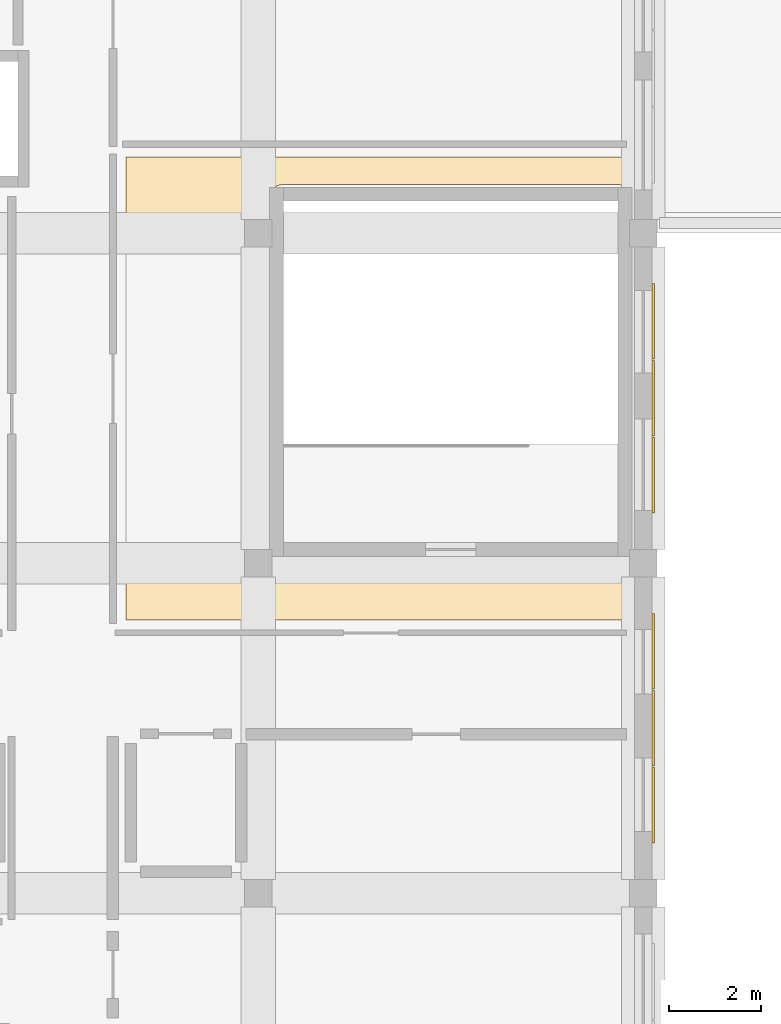
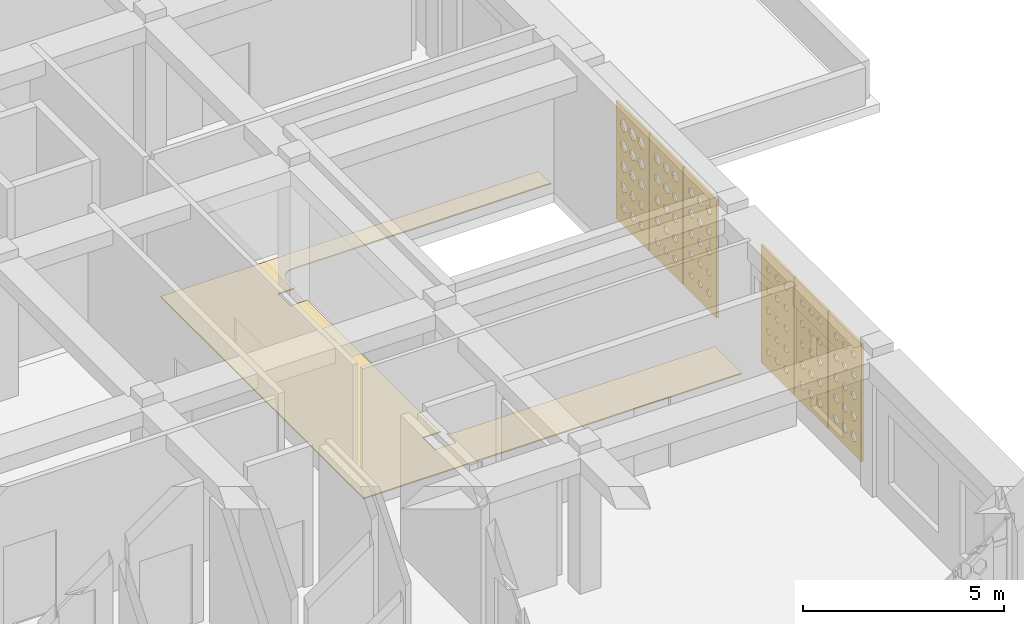
# One storey, part 23 of 28: 7 coverings.
"""IFC4 building model written with IfcOpenShell, lengths in metres."""

from ifc_helpers import new_model, si_unit, derived_unit, direction, frame, origin, place, context, subcontext, project, spatial, polyline, outline, extrude, material, layer, layer_set, type_object, element, save


model = new_model("IFC4")

# Units and contexts
model_context = context("Model", 3, precision=1e-05, world=origin(), true_north=direction((0.0, 1.0)))
body_context = subcontext(model_context, "Body", "Model", "MODEL_VIEW")
ifc_project = project(units=[si_unit("LENGTHUNIT", "METRE"), si_unit("AREAUNIT", "SQUARE_METRE"), si_unit("VOLUMEUNIT", "CUBIC_METRE"), si_unit("PLANEANGLEUNIT", "RADIAN"), si_unit("MASSUNIT", "GRAM", prefix="KILO"), derived_unit("THERMALTRANSMITTANCEUNIT", [(si_unit("POWERUNIT", "WATT"), 1), (si_unit("LENGTHUNIT", "METRE"), -2), (si_unit("THERMODYNAMICTEMPERATUREUNIT", "KELVIN"), -1)])], contexts=[model_context])

# Site, building, storey
site_placement = place(None, origin())
site = spatial("IfcSite", under=ifc_project, at=site_placement, CompositionType="ELEMENT")
building_placement = place(site_placement, origin())
building = spatial("IfcBuilding", under=site, at=building_placement, Name="Veybourne Emporium", CompositionType="ELEMENT")
storey_placement = place(building_placement, frame((0.0, 0.0, 32.10009765625)))
storey = spatial("IfcBuildingStorey", under=building, at=storey_placement, Name="L07", CompositionType="ELEMENT", Elevation=32.10009765625)

# Coverings
ifc_material_1 = material(Name="European Oak Parquet", Category="wood")
ifc_layer_1 = layer(ifc_material_1, 0.034912109375)
ifc_layer_set_1 = layer_set([ifc_layer_1], Name="European Oak Parquet")
covering_type_1 = type_object("IfcCoveringType", Name="Flooring_FLR-02", PredefinedType="FLOORING", material=ifc_layer_set_1)
covering_1_placement = place(storey_placement, origin())
element("IfcCovering", 1, at=covering_1_placement, inside=storey, type_object=covering_type_1, Name="L07 floor finish 06", PredefinedType="FLOORING", context=body_context, shape_type="SweptSolid", body=[
    extrude(outline(polyline([(39.110107421875, 27.56005859375), (39.110107421875, 37.659912109375), (49.9599609375, 37.659912109375), (49.9599609375, 37.04248046875), (49.945068359375, 37.047119140625), (49.929931640625, 37.051025390625), (49.910400390625, 37.0546875), (49.89501953125, 37.05712890625), (49.87548828125, 37.05908203125), (49.85986328125, 37.059814453125), (49.85009765625, 37.06005859375), (42.550048828125, 37.06005859375), (42.540283203125, 37.059814453125), (42.5244140625, 37.05908203125), (42.505126953125, 37.05712890625), (42.489501953125, 37.0546875), (42.47021484375, 37.051025390625), (42.454833984375, 37.047119140625), (42.43603515625, 37.04150390625), (42.42138671875, 37.0361328125), (42.4033203125, 37.028564453125), (42.38916015625, 37.02197265625), (42.371826171875, 37.0126953125), (42.3583984375, 37.004638671875), (42.341796875, 36.99365234375), (42.329345703125, 36.984375), (42.314208984375, 36.971923828125), (42.302734375, 36.96142578125), (42.28857421875, 36.947265625), (42.278076171875, 36.935791015625), (42.265625, 36.920654296875), (42.25634765625, 36.908203125), (42.245361328125, 36.8916015625), (42.2373046875, 36.878173828125), (42.22802734375, 36.86083984375), (42.221435546875, 36.8466796875), (42.2138671875, 36.82861328125), (42.20849609375, 36.81396484375), (42.202880859375, 36.795166015625), (42.198974609375, 36.77978515625), (42.1953125, 36.760498046875), (42.19287109375, 36.744873046875), (42.19091796875, 36.7255859375), (42.190185546875, 36.709716796875), (42.18994140625, 36.699951171875), (42.18994140625, 36.304931640625), (41.695068359375, 36.304931640625), (41.695068359375, 35.695068359375), (42.18994140625, 35.695068359375), (42.18994140625, 29.25), (42.190185546875, 29.240234375), (42.19091796875, 29.224609375), (42.19287109375, 29.205078125), (42.1953125, 29.189453125), (42.198974609375, 29.170166015625), (42.202880859375, 29.155029296875), (42.20849609375, 29.13623046875), (42.2138671875, 29.121337890625), (42.220703125, 29.10498046875), (41.695068359375, 29.10498046875), (41.695068359375, 28.4951171875), (42.304931640625, 28.4951171875), (42.304931640625, 28.986328125), (42.314208984375, 28.97802734375), (42.329345703125, 28.9658203125), (42.341796875, 28.956298828125), (42.3583984375, 28.9453125), (42.371826171875, 28.937255859375), (42.38916015625, 28.927978515625), (42.4033203125, 28.92138671875), (42.42138671875, 28.913818359375), (42.43603515625, 28.90869140625), (42.454833984375, 28.90283203125), (42.47021484375, 28.899169921875), (42.489501953125, 28.895263671875), (42.505126953125, 28.892822265625), (42.5244140625, 28.89111328125), (42.540283203125, 28.89013671875), (42.550048828125, 28.889892578125), (49.85009765625, 28.889892578125), (49.85986328125, 28.89013671875), (49.87548828125, 28.89111328125), (49.89501953125, 28.892822265625), (49.910400390625, 28.895263671875), (49.929931640625, 28.899169921875), (49.945068359375, 28.90283203125), (49.9599609375, 28.907470703125), (49.9599609375, 27.56005859375), (39.110107421875, 27.56005859375)])), origin(), (0.0, 0.0, 1.0), 0.034912109375),
])
ifc_material_2 = material(Name="Warm-White Perforated Aluminium Screen Alloy", Category="aluminium")
ifc_layer_2 = layer(ifc_material_2, 0.06005859375)
ifc_layer_set_2 = layer_set([ifc_layer_2], Name="Warm-White Perforated Aluminium Screen Alloy")
covering_type_2 = type_object("IfcCoveringType", Name="WaveScreen_SCR-01", PredefinedType="CLADDING", material=ifc_layer_set_2)
covering_2_placement = place(storey_placement, frame((50.64794921875, 23.52001953125, 1.844970703125), z_axis=(-1.0, 0.0, 0.0), x_axis=(0.0, -1.0, 0.0)))
element("IfcCovering", 2, at=covering_2_placement, inside=storey, type_object=covering_type_2, Name="L07 wave-perforated aluminium screen SCR-01 (18.3)", PredefinedType="CLADDING", context=body_context, shape_type="SweptSolid", body=[
    extrude(outline(polyline([(-0.81982421875, -1.78515625), (0.81982421875, -1.78515625), (0.81982421875, 1.78515625), (-0.81982421875, 1.78515625), (-0.81982421875, -1.78515625)]), holes=[polyline([(-0.433349609375, -1.10498046875), (-0.302978515625, -1.19921875), (-0.302978515625, -1.304931640625), (-0.433349609375, -1.39892578125), (-0.5634765625, -1.304931640625), (-0.5634765625, -1.19921875), (-0.433349609375, -1.10498046875)]), polyline([(-0.433349609375, -0.490478515625), (-0.3125, -0.5771484375), (-0.3125, -0.6748046875), (-0.433349609375, -0.76171875), (-0.55419921875, -0.6748046875), (-0.55419921875, -0.5771484375), (-0.433349609375, -0.490478515625)]), polyline([(-0.433349609375, 0.126220703125), (-0.3203125, 0.04541015625), (-0.3203125, -0.04541015625), (-0.433349609375, -0.126220703125), (-0.54638671875, -0.04541015625), (-0.54638671875, 0.04541015625), (-0.433349609375, 0.126220703125)]), polyline([(-0.433349609375, 0.744384765625), (-0.326416015625, 0.668701171875), (-0.326416015625, 0.583251953125), (-0.433349609375, 0.507568359375), (-0.540283203125, 0.583251953125), (-0.540283203125, 0.668701171875), (-0.433349609375, 0.744384765625)]), polyline([(-0.433349609375, 1.365234375), (-0.33056640625, 1.292724609375), (-0.33056640625, 1.211181640625), (-0.433349609375, 1.138671875), (-0.535888671875, 1.211181640625), (-0.535888671875, 1.292724609375), (-0.433349609375, 1.365234375)]), polyline([(0.0, -1.099609375), (0.134765625, -1.197021484375), (0.134765625, -1.306884765625), (0.0, -1.404296875), (-0.134765625, -1.306884765625), (-0.134765625, -1.197021484375), (0.0, -1.099609375)]), polyline([(0.0, -0.485595703125), (0.125, -0.575439453125), (0.125, -0.676513671875), (0.0, -0.766357421875), (-0.125, -0.676513671875), (-0.125, -0.575439453125), (0.0, -0.485595703125)]), polyline([(0.0, 0.130126953125), (0.116455078125, 0.046875), (0.116455078125, -0.046875), (0.0, -0.130126953125), (-0.116455078125, -0.046875), (-0.116455078125, 0.046875), (0.0, 0.130126953125)]), polyline([(0.0, 0.74755859375), (0.109619140625, 0.669921875), (0.109619140625, 0.582275390625), (0.0, 0.50439453125), (-0.109619140625, 0.582275390625), (-0.109619140625, 0.669921875), (0.0, 0.74755859375)]), polyline([(0.0, 1.3671875), (0.1044921875, 1.29345703125), (0.1044921875, 1.21044921875), (0.0, 1.13671875), (-0.1044921875, 1.21044921875), (-0.1044921875, 1.29345703125), (0.0, 1.3671875)]), polyline([(0.433349609375, -1.093994140625), (0.57275390625, -1.195068359375), (0.57275390625, -1.308837890625), (0.433349609375, -1.41015625), (0.2939453125, -1.308837890625), (0.2939453125, -1.195068359375), (0.433349609375, -1.093994140625)]), polyline([(0.433349609375, -0.48046875), (0.5625, -0.573486328125), (0.5625, -0.678466796875), (0.433349609375, -0.771484375), (0.30419921875, -0.678466796875), (0.30419921875, -0.573486328125), (0.433349609375, -0.48046875)]), polyline([(0.433349609375, 0.134521484375), (0.55322265625, 0.04833984375), (0.55322265625, -0.04833984375), (0.433349609375, -0.134521484375), (0.313232421875, -0.04833984375), (0.313232421875, 0.04833984375), (0.433349609375, 0.134521484375)]), polyline([(0.433349609375, 0.751220703125), (0.545654296875, 0.6708984375), (0.545654296875, 0.5810546875), (0.433349609375, 0.5009765625), (0.321044921875, 0.5810546875), (0.321044921875, 0.6708984375), (0.433349609375, 0.751220703125)]), polyline([(0.433349609375, 1.369873046875), (0.539794921875, 1.29443359375), (0.539794921875, 1.209716796875), (0.433349609375, 1.134033203125), (0.326904296875, 1.209716796875), (0.326904296875, 1.29443359375), (0.433349609375, 1.369873046875)])]), origin(), (0.0, 0.0, 1.0), 0.06005859375),
])
covering_3_placement = place(storey_placement, frame((50.64794921875, 32.39990234375, 1.844970703125), z_axis=(-1.0, 0.0, 0.0), x_axis=(0.0, -1.0, 0.0)))
element("IfcCovering", 3, at=covering_3_placement, inside=storey, type_object=covering_type_2, Name="L07 wave-perforated aluminium screen SCR-01 (19.2)", PredefinedType="CLADDING", context=body_context, shape_type="SweptSolid", body=[
    extrude(outline(polyline([(-0.81982421875, -1.78515625), (0.81982421875, -1.78515625), (0.81982421875, 1.78515625), (-0.81982421875, 1.78515625), (-0.81982421875, -1.78515625)]), holes=[polyline([(-0.433349609375, -1.126953125), (-0.321044921875, -1.20703125), (-0.321044921875, -1.297119140625), (-0.433349609375, -1.376953125), (-0.545654296875, -1.297119140625), (-0.545654296875, -1.20703125), (-0.433349609375, -1.126953125)]), polyline([(-0.433349609375, -0.49169921875), (-0.3134765625, -0.57763671875), (-0.3134765625, -0.67431640625), (-0.433349609375, -0.760498046875), (-0.55322265625, -0.67431640625), (-0.55322265625, -0.57763671875), (-0.433349609375, -0.49169921875)]), polyline([(-0.433349609375, 0.1455078125), (-0.30419921875, 0.052490234375), (-0.30419921875, -0.052490234375), (-0.433349609375, -0.1455078125), (-0.562255859375, -0.052490234375), (-0.562255859375, 0.052490234375), (-0.433349609375, 0.1455078125)]), polyline([(-0.433349609375, 0.783935546875), (-0.294189453125, 0.682861328125), (-0.294189453125, 0.569091796875), (-0.433349609375, 0.468017578125), (-0.572509765625, 0.569091796875), (-0.572509765625, 0.682861328125), (-0.433349609375, 0.783935546875)]), polyline([(-0.433349609375, 1.423583984375), (-0.282958984375, 1.313720703125), (-0.282958984375, 1.190185546875), (-0.433349609375, 1.080322265625), (-0.583740234375, 1.190185546875), (-0.583740234375, 1.313720703125), (-0.433349609375, 1.423583984375)]), polyline([(0.0, -1.130615234375), (0.109375, -1.208251953125), (0.109375, -1.2958984375), (0.0, -1.37353515625), (-0.109375, -1.2958984375), (-0.109375, -1.208251953125), (0.0, -1.130615234375)]), polyline([(0.0, -0.49609375), (0.1162109375, -0.5791015625), (0.1162109375, -0.6728515625), (0.0, -0.756103515625), (-0.1162109375, -0.6728515625), (-0.1162109375, -0.5791015625), (0.0, -0.49609375)]), polyline([(0.0, 0.140380859375), (0.124755859375, 0.050537109375), (0.124755859375, -0.050537109375), (0.0, -0.140380859375), (-0.124755859375, -0.050537109375), (-0.124755859375, 0.050537109375), (0.0, 0.140380859375)]), polyline([(0.0, 0.7783203125), (0.134521484375, 0.680908203125), (0.134521484375, 0.5712890625), (0.0, 0.4736328125), (-0.134521484375, 0.5712890625), (-0.134521484375, 0.680908203125), (0.0, 0.7783203125)]), polyline([(0.0, 1.41748046875), (0.1455078125, 1.3115234375), (0.1455078125, 1.1923828125), (0.0, 1.086669921875), (-0.1455078125, 1.1923828125), (-0.1455078125, 1.3115234375), (0.0, 1.41748046875)]), polyline([(0.433349609375, -1.133544921875), (0.540283203125, -1.209228515625), (0.540283203125, -1.294677734375), (0.433349609375, -1.37060546875), (0.326416015625, -1.294677734375), (0.326416015625, -1.209228515625), (0.433349609375, -1.133544921875)]), polyline([(0.433349609375, -0.5), (0.54638671875, -0.580810546875), (0.54638671875, -0.67138671875), (0.433349609375, -0.751953125), (0.3203125, -0.67138671875), (0.3203125, -0.580810546875), (0.433349609375, -0.5)]), polyline([(0.433349609375, 0.135498046875), (0.55419921875, 0.048828125), (0.55419921875, -0.048828125), (0.433349609375, -0.135498046875), (0.3125, -0.048828125), (0.3125, 0.048828125), (0.433349609375, 0.135498046875)]), polyline([(0.433349609375, 0.772705078125), (0.5634765625, 0.6787109375), (0.5634765625, 0.5732421875), (0.433349609375, 0.479248046875), (0.30322265625, 0.5732421875), (0.30322265625, 0.6787109375), (0.433349609375, 0.772705078125)]), polyline([(0.433349609375, 1.411376953125), (0.57373046875, 1.309326171875), (0.57373046875, 1.194580078125), (0.433349609375, 1.092529296875), (0.29296875, 1.194580078125), (0.29296875, 1.309326171875), (0.433349609375, 1.411376953125)])]), origin(), (0.0, 0.0, 1.0), 0.06005859375),
])
ifc_layer_3 = layer(ifc_material_2, 0.06005859375)
ifc_layer_set_3 = layer_set([ifc_layer_3], Name="Warm-White Perforated Aluminium Screen Alloy")
covering_type_3 = type_object("IfcCoveringType", Name="WaveScreen_SCR-02", PredefinedType="CLADDING", material=ifc_layer_set_3)
covering_4_placement = place(storey_placement, frame((50.64794921875, 30.719970703125, 1.844970703125), z_axis=(-1.0, 0.0, 0.0), x_axis=(0.0, -1.0, 0.0)))
element("IfcCovering", 4, at=covering_4_placement, inside=storey, type_object=covering_type_3, Name="L07 wave-perforated aluminium screen SCR-02 (19.3)", PredefinedType="CLADDING", context=body_context, shape_type="SweptSolid", body=[
    extrude(outline(polyline([(-0.81982421875, -1.78515625), (0.81982421875, -1.78515625), (0.81982421875, 1.78515625), (-0.81982421875, 1.78515625), (-0.81982421875, -1.78515625)]), holes=[polyline([(-0.433349609375, -1.137939453125), (-0.330078125, -1.2109375), (-0.330078125, -1.29296875), (-0.433349609375, -1.365966796875), (-0.53662109375, -1.29296875), (-0.53662109375, -1.2109375), (-0.433349609375, -1.137939453125)]), polyline([(-0.433349609375, -0.50634765625), (-0.325439453125, -0.5830078125), (-0.325439453125, -0.6689453125), (-0.433349609375, -0.74560546875), (-0.541259765625, -0.6689453125), (-0.541259765625, -0.5830078125), (-0.433349609375, -0.50634765625)]), polyline([(-0.433349609375, 0.12744140625), (-0.319091796875, 0.0458984375), (-0.319091796875, -0.0458984375), (-0.433349609375, -0.12744140625), (-0.547607421875, -0.0458984375), (-0.547607421875, 0.0458984375), (-0.433349609375, 0.12744140625)]), polyline([(-0.433349609375, 0.76318359375), (-0.31103515625, 0.67529296875), (-0.31103515625, 0.57666015625), (-0.433349609375, 0.48876953125), (-0.5556640625, 0.57666015625), (-0.5556640625, 0.67529296875), (-0.433349609375, 0.76318359375)]), polyline([(-0.433349609375, 1.40087890625), (-0.301513671875, 1.3056640625), (-0.301513671875, 1.198486328125), (-0.433349609375, 1.103271484375), (-0.565185546875, 1.198486328125), (-0.565185546875, 1.3056640625), (-0.433349609375, 1.40087890625)]), polyline([(0.0, -1.139892578125), (0.101806640625, -1.211669921875), (0.101806640625, -1.29248046875), (0.0, -1.3642578125), (-0.101806640625, -1.29248046875), (-0.101806640625, -1.211669921875), (0.0, -1.139892578125)]), polyline([(0.0, -0.50927734375), (0.10546875, -0.583984375), (0.10546875, -0.66796875), (0.0, -0.742919921875), (-0.10546875, -0.66796875), (-0.10546875, -0.583984375), (0.0, -0.50927734375)]), polyline([(0.0, 0.123779296875), (0.111083984375, 0.04443359375), (0.111083984375, -0.04443359375), (0.0, -0.123779296875), (-0.111083984375, -0.04443359375), (-0.111083984375, 0.04443359375), (0.0, 0.123779296875)]), polyline([(0.0, 0.758544921875), (0.118408203125, 0.673583984375), (0.118408203125, 0.578369140625), (0.0, 0.493408203125), (-0.118408203125, 0.578369140625), (-0.118408203125, 0.673583984375), (0.0, 0.758544921875)]), polyline([(0.0, 1.3955078125), (0.12744140625, 1.3037109375), (0.12744140625, 1.200439453125), (0.0, 1.108642578125), (-0.12744140625, 1.200439453125), (-0.12744140625, 1.3037109375), (0.0, 1.3955078125)]), polyline([(0.433349609375, -1.14111328125), (0.5341796875, -1.2119140625), (0.5341796875, -1.2919921875), (0.433349609375, -1.363037109375), (0.33251953125, -1.2919921875), (0.33251953125, -1.2119140625), (0.433349609375, -1.14111328125)]), polyline([(0.433349609375, -0.511474609375), (0.537109375, -0.584716796875), (0.537109375, -0.667236328125), (0.433349609375, -0.740478515625), (0.32958984375, -0.667236328125), (0.32958984375, -0.584716796875), (0.433349609375, -0.511474609375)]), polyline([(0.433349609375, 0.120361328125), (0.541748046875, 0.043212890625), (0.541748046875, -0.043212890625), (0.433349609375, -0.120361328125), (0.324951171875, -0.043212890625), (0.324951171875, 0.043212890625), (0.433349609375, 0.120361328125)]), polyline([(0.433349609375, 0.75439453125), (0.54833984375, 0.672119140625), (0.54833984375, 0.579833984375), (0.433349609375, 0.49755859375), (0.318359375, 0.579833984375), (0.318359375, 0.672119140625), (0.433349609375, 0.75439453125)]), polyline([(0.433349609375, 1.390380859375), (0.556640625, 1.3017578125), (0.556640625, 1.2021484375), (0.433349609375, 1.113525390625), (0.31005859375, 1.2021484375), (0.31005859375, 1.3017578125), (0.433349609375, 1.390380859375)])]), origin(), (0.0, 0.0, 1.0), 0.06005859375),
])
ifc_layer_4 = layer(ifc_material_2, 0.06005859375)
ifc_layer_set_4 = layer_set([ifc_layer_4], Name="Warm-White Perforated Aluminium Screen Alloy")
covering_type_4 = type_object("IfcCoveringType", Name="WaveScreen_SCR-03", PredefinedType="CLADDING", material=ifc_layer_set_4)
covering_5_placement = place(storey_placement, frame((50.64794921875, 26.8798828125, 1.844970703125), z_axis=(-1.0, 0.0, 0.0), x_axis=(0.0, -1.0, 0.0)))
element("IfcCovering", 5, at=covering_5_placement, inside=storey, type_object=covering_type_4, Name="L07 wave-perforated aluminium screen SCR-03 (18.1)", PredefinedType="CLADDING", context=body_context, shape_type="SweptSolid", body=[
    extrude(outline(polyline([(-0.81982421875, -1.78515625), (0.81982421875, -1.78515625), (0.81982421875, 1.78515625), (-0.81982421875, 1.78515625), (-0.81982421875, -1.78515625)]), holes=[polyline([(-0.433349609375, -1.135986328125), (-0.32861328125, -1.210205078125), (-0.32861328125, -1.293701171875), (-0.433349609375, -1.367919921875), (-0.5380859375, -1.293701171875), (-0.5380859375, -1.210205078125), (-0.433349609375, -1.135986328125)]), polyline([(-0.433349609375, -0.514404296875), (-0.331787109375, -0.585693359375), (-0.331787109375, -0.666259765625), (-0.433349609375, -0.73779296875), (-0.53466796875, -0.666259765625), (-0.53466796875, -0.585693359375), (-0.433349609375, -0.514404296875)]), polyline([(-0.433349609375, 0.110107421875), (-0.333251953125, 0.03955078125), (-0.333251953125, -0.03955078125), (-0.433349609375, -0.110107421875), (-0.533447265625, -0.03955078125), (-0.533447265625, 0.03955078125), (-0.433349609375, 0.110107421875)]), polyline([(-0.433349609375, 0.73681640625), (-0.33251953125, 0.666015625), (-0.33251953125, 0.586181640625), (-0.433349609375, 0.51513671875), (-0.533935546875, 0.586181640625), (-0.533935546875, 0.666015625), (-0.433349609375, 0.73681640625)]), polyline([(-0.433349609375, 1.3662109375), (-0.329833984375, 1.293212890625), (-0.329833984375, 1.2109375), (-0.433349609375, 1.1376953125), (-0.536865234375, 1.2109375), (-0.536865234375, 1.293212890625), (-0.433349609375, 1.3662109375)]), polyline([(0.0, -1.133544921875), (0.10693359375, -1.209228515625), (0.10693359375, -1.294677734375), (0.0, -1.37060546875), (-0.10693359375, -1.294677734375), (-0.10693359375, -1.209228515625), (0.0, -1.133544921875)]), polyline([(0.0, -0.5126953125), (0.102783203125, -0.585205078125), (0.102783203125, -0.666748046875), (0.0, -0.7392578125), (-0.102783203125, -0.666748046875), (-0.102783203125, -0.585205078125), (0.0, -0.5126953125)]), polyline([(0.0, 0.110595703125), (0.100341796875, 0.039794921875), (0.100341796875, -0.039794921875), (0.0, -0.110595703125), (-0.100341796875, -0.039794921875), (-0.100341796875, 0.039794921875), (0.0, 0.110595703125)]), polyline([(0.0, 0.736083984375), (0.10009765625, 0.665771484375), (0.10009765625, 0.586181640625), (0.0, 0.515869140625), (-0.10009765625, 0.586181640625), (-0.10009765625, 0.665771484375), (0.0, 0.736083984375)]), polyline([(0.0, 1.364501953125), (0.10205078125, 1.29248046875), (0.10205078125, 1.21142578125), (0.0, 1.1396484375), (-0.10205078125, 1.21142578125), (-0.10205078125, 1.29248046875), (0.0, 1.364501953125)]), polyline([(0.433349609375, -1.13037109375), (0.542724609375, -1.208251953125), (0.542724609375, -1.2958984375), (0.433349609375, -1.37353515625), (0.323974609375, -1.2958984375), (0.323974609375, -1.208251953125), (0.433349609375, -1.13037109375)]), polyline([(0.433349609375, -0.5107421875), (0.53759765625, -0.58447265625), (0.53759765625, -0.66748046875), (0.433349609375, -0.7412109375), (0.3291015625, -0.66748046875), (0.3291015625, -0.58447265625), (0.433349609375, -0.5107421875)]), polyline([(0.433349609375, 0.111328125), (0.534423828125, 0.0400390625), (0.534423828125, -0.0400390625), (0.433349609375, -0.111328125), (0.332275390625, -0.0400390625), (0.332275390625, 0.0400390625), (0.433349609375, 0.111328125)]), polyline([(0.433349609375, 0.736083984375), (0.533203125, 0.66552734375), (0.533203125, 0.58642578125), (0.433349609375, 0.51611328125), (0.333251953125, 0.58642578125), (0.333251953125, 0.66552734375), (0.433349609375, 0.736083984375)]), polyline([(0.433349609375, 1.363037109375), (0.5341796875, 1.2919921875), (0.5341796875, 1.2119140625), (0.433349609375, 1.140869140625), (0.33251953125, 1.2119140625), (0.33251953125, 1.2919921875), (0.433349609375, 1.363037109375)])]), origin(), (0.0, 0.0, 1.0), 0.06005859375),
])
ifc_layer_5 = layer(ifc_material_2, 0.06005859375)
ifc_layer_set_5 = layer_set([ifc_layer_5], Name="Warm-White Perforated Aluminium Screen Alloy")
covering_type_5 = type_object("IfcCoveringType", Name="WaveScreen_SCR-04", PredefinedType="CLADDING", material=ifc_layer_set_5)
covering_6_placement = place(storey_placement, frame((50.64794921875, 25.199951171875, 1.844970703125), z_axis=(-1.0, 0.0, 0.0), x_axis=(0.0, -1.0, 0.0)))
element("IfcCovering", 6, at=covering_6_placement, inside=storey, type_object=covering_type_5, Name="L07 wave-perforated aluminium screen SCR-04 (18.2)", PredefinedType="CLADDING", context=body_context, shape_type="SweptSolid", body=[
    extrude(outline(polyline([(-0.81982421875, -1.78515625), (0.81982421875, -1.78515625), (0.81982421875, 1.78515625), (-0.81982421875, 1.78515625), (-0.81982421875, -1.78515625)]), holes=[polyline([(-0.433349609375, -1.12353515625), (-0.318115234375, -1.205810546875), (-0.318115234375, -1.29833984375), (-0.433349609375, -1.380615234375), (-0.548583984375, -1.29833984375), (-0.548583984375, -1.205810546875), (-0.433349609375, -1.12353515625)]), polyline([(-0.433349609375, -0.505615234375), (-0.32470703125, -0.582763671875), (-0.32470703125, -0.669189453125), (-0.433349609375, -0.746337890625), (-0.541748046875, -0.669189453125), (-0.541748046875, -0.582763671875), (-0.433349609375, -0.505615234375)]), polyline([(-0.433349609375, 0.114501953125), (-0.32958984375, 0.041259765625), (-0.32958984375, -0.041259765625), (-0.433349609375, -0.114501953125), (-0.537109375, -0.041259765625), (-0.537109375, 0.041259765625), (-0.433349609375, 0.114501953125)]), polyline([(-0.433349609375, 0.737060546875), (-0.33251953125, 0.666015625), (-0.33251953125, 0.5859375), (-0.433349609375, 0.514892578125), (-0.5341796875, 0.5859375), (-0.5341796875, 0.666015625), (-0.433349609375, 0.737060546875)]), polyline([(-0.433349609375, 1.362060546875), (-0.333251953125, 1.29150390625), (-0.333251953125, 1.21240234375), (-0.433349609375, 1.14208984375), (-0.533203125, 1.21240234375), (-0.533203125, 1.29150390625), (-0.433349609375, 1.362060546875)]), polyline([(0.0, -1.119384765625), (0.11865234375, -1.2041015625), (0.11865234375, -1.2998046875), (0.0, -1.384765625), (-0.11865234375, -1.2998046875), (-0.11865234375, -1.2041015625), (0.0, -1.119384765625)]), polyline([(0.0, -0.502197265625), (0.111083984375, -0.58154296875), (0.111083984375, -0.67041015625), (0.0, -0.749755859375), (-0.111083984375, -0.67041015625), (-0.111083984375, -0.58154296875), (0.0, -0.502197265625)]), polyline([(0.0, 0.11669921875), (0.105712890625, 0.0419921875), (0.105712890625, -0.0419921875), (0.0, -0.11669921875), (-0.105712890625, -0.0419921875), (-0.105712890625, 0.0419921875), (0.0, 0.11669921875)]), polyline([(0.0, 0.73828125), (0.101806640625, 0.66650390625), (0.101806640625, 0.585693359375), (0.0, 0.513671875), (-0.101806640625, 0.585693359375), (-0.101806640625, 0.66650390625), (0.0, 0.73828125)]), polyline([(0.0, 1.362060546875), (0.10009765625, 1.291748046875), (0.10009765625, 1.21240234375), (0.0, 1.141845703125), (-0.10009765625, 1.21240234375), (-0.10009765625, 1.291748046875), (0.0, 1.362060546875)]), polyline([(0.433349609375, -1.114501953125), (0.5556640625, -1.20263671875), (0.5556640625, -1.301513671875), (0.433349609375, -1.389404296875), (0.31103515625, -1.301513671875), (0.31103515625, -1.20263671875), (0.433349609375, -1.114501953125)]), polyline([(0.433349609375, -0.49853515625), (0.547607421875, -0.580078125), (0.547607421875, -0.671875), (0.433349609375, -0.75341796875), (0.319091796875, -0.671875), (0.319091796875, -0.580078125), (0.433349609375, -0.49853515625)]), polyline([(0.433349609375, 0.11962890625), (0.541259765625, 0.043212890625), (0.541259765625, -0.043212890625), (0.433349609375, -0.11962890625), (0.325439453125, -0.043212890625), (0.325439453125, 0.043212890625), (0.433349609375, 0.11962890625)]), polyline([(0.433349609375, 0.739990234375), (0.53662109375, 0.6669921875), (0.53662109375, 0.5849609375), (0.433349609375, 0.511962890625), (0.330078125, 0.5849609375), (0.330078125, 0.6669921875), (0.433349609375, 0.739990234375)]), polyline([(0.433349609375, 1.36279296875), (0.533935546875, 1.2919921875), (0.533935546875, 1.212158203125), (0.433349609375, 1.14111328125), (0.332763671875, 1.212158203125), (0.332763671875, 1.2919921875), (0.433349609375, 1.36279296875)])]), origin(), (0.0, 0.0, 1.0), 0.06005859375),
])
covering_7_placement = place(storey_placement, frame((50.64794921875, 34.080078125, 1.844970703125), z_axis=(-1.0, 0.0, 0.0), x_axis=(0.0, -1.0, 0.0)))
element("IfcCovering", 7, at=covering_7_placement, inside=storey, type_object=covering_type_5, Name="L07 wave-perforated aluminium screen SCR-04 (19.1)", PredefinedType="CLADDING", context=body_context, shape_type="SweptSolid", body=[
    extrude(outline(polyline([(-0.81982421875, -1.78515625), (0.81982421875, -1.78515625), (0.81982421875, 1.78515625), (-0.81982421875, 1.78515625), (-0.81982421875, -1.78515625)]), holes=[polyline([(-0.433349609375, -1.10986328125), (-0.306884765625, -1.20068359375), (-0.306884765625, -1.30322265625), (-0.433349609375, -1.394287109375), (-0.559814453125, -1.30322265625), (-0.559814453125, -1.20068359375), (-0.433349609375, -1.10986328125)]), polyline([(-0.433349609375, -0.4716796875), (-0.297119140625, -0.5703125), (-0.297119140625, -0.681640625), (-0.433349609375, -0.780517578125), (-0.569580078125, -0.681640625), (-0.569580078125, -0.5703125), (-0.433349609375, -0.4716796875)]), polyline([(-0.433349609375, 0.167724609375), (-0.2861328125, 0.060302734375), (-0.2861328125, -0.060302734375), (-0.433349609375, -0.167724609375), (-0.58056640625, -0.060302734375), (-0.58056640625, 0.060302734375), (-0.433349609375, 0.167724609375)]), polyline([(-0.433349609375, 0.807861328125), (-0.2744140625, 0.69140625), (-0.2744140625, 0.560546875), (-0.433349609375, 0.444091796875), (-0.592041015625, 0.560546875), (-0.592041015625, 0.69140625), (-0.433349609375, 0.807861328125)]), polyline([(-0.433349609375, 1.4482421875), (-0.2626953125, 1.32275390625), (-0.2626953125, 1.181396484375), (-0.433349609375, 1.0556640625), (-0.60400390625, 1.181396484375), (-0.60400390625, 1.32275390625), (-0.433349609375, 1.4482421875)]), polyline([(0.0, -1.11474609375), (0.122314453125, -1.20263671875), (0.122314453125, -1.301513671875), (0.0, -1.389404296875), (-0.122314453125, -1.301513671875), (-0.122314453125, -1.20263671875), (0.0, -1.11474609375)]), polyline([(0.0, -0.477294921875), (0.1318359375, -0.572509765625), (0.1318359375, -0.6796875), (0.0, -0.77490234375), (-0.1318359375, -0.6796875), (-0.1318359375, -0.572509765625), (0.0, -0.477294921875)]), polyline([(0.0, 0.16162109375), (0.142333984375, 0.05810546875), (0.142333984375, -0.05810546875), (0.0, -0.16162109375), (-0.142333984375, -0.05810546875), (-0.142333984375, 0.05810546875), (0.0, 0.16162109375)]), polyline([(0.0, 0.801513671875), (0.153564453125, 0.689208984375), (0.153564453125, 0.562744140625), (0.0, 0.450439453125), (-0.153564453125, 0.562744140625), (-0.153564453125, 0.689208984375), (0.0, 0.801513671875)]), polyline([(0.0, 1.44189453125), (0.165283203125, 1.3203125), (0.165283203125, 1.18359375), (0.0, 1.06201171875), (-0.165283203125, 1.18359375), (-0.165283203125, 1.3203125), (0.0, 1.44189453125)]), polyline([(0.433349609375, -1.119384765625), (0.552001953125, -1.2041015625), (0.552001953125, -1.2998046875), (0.433349609375, -1.384765625), (0.314697265625, -1.2998046875), (0.314697265625, -1.2041015625), (0.433349609375, -1.119384765625)]), polyline([(0.433349609375, -0.482421875), (0.560791015625, -0.57421875), (0.560791015625, -0.677734375), (0.433349609375, -0.76953125), (0.305908203125, -0.677734375), (0.305908203125, -0.57421875), (0.433349609375, -0.482421875)]), polyline([(0.433349609375, 0.15576171875), (0.57080078125, 0.05615234375), (0.57080078125, -0.05615234375), (0.433349609375, -0.15576171875), (0.2958984375, -0.05615234375), (0.2958984375, 0.05615234375), (0.433349609375, 0.15576171875)]), polyline([(0.433349609375, 0.79541015625), (0.581787109375, 0.68701171875), (0.581787109375, 0.565185546875), (0.433349609375, 0.456787109375), (0.284912109375, 0.565185546875), (0.284912109375, 0.68701171875), (0.433349609375, 0.79541015625)]), polyline([(0.433349609375, 1.435302734375), (0.593505859375, 1.318115234375), (0.593505859375, 1.18603515625), (0.433349609375, 1.068603515625), (0.273193359375, 1.18603515625), (0.273193359375, 1.318115234375), (0.433349609375, 1.435302734375)])]), origin(), (0.0, 0.0, 1.0), 0.06005859375),
])

save(model, "model.ifc")
